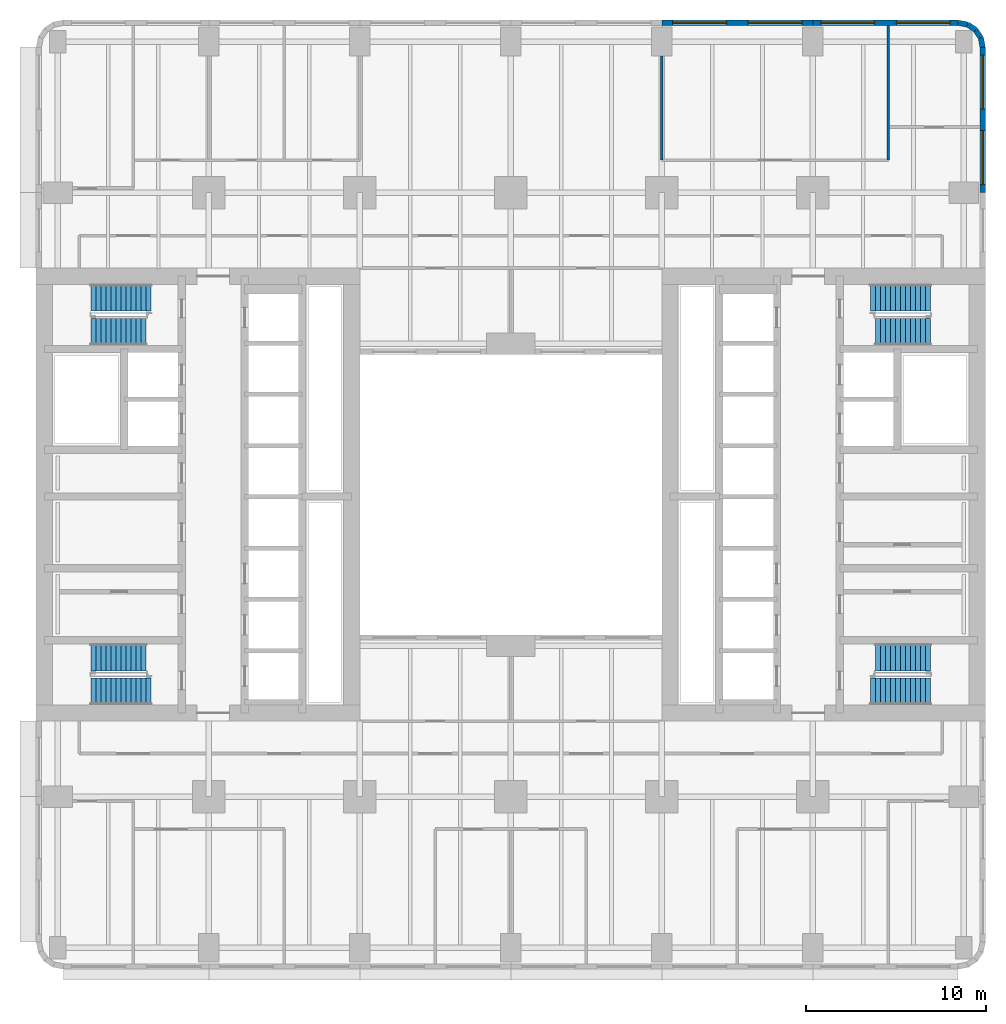
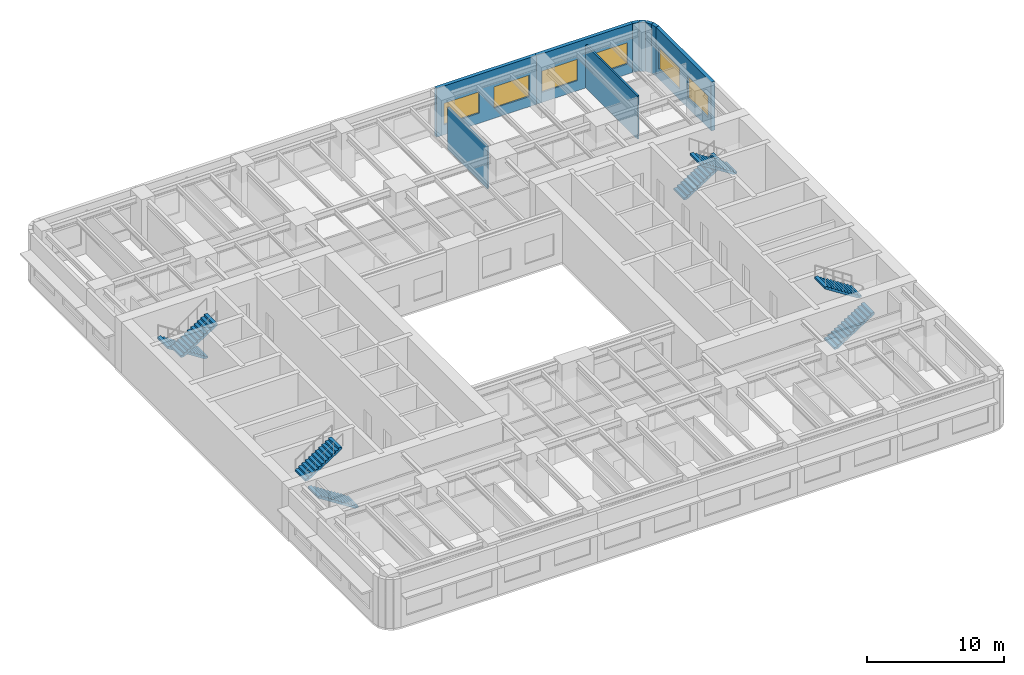
# One storey, part 8 of 14: 9 walls, 8 stair flights, 6 windows, 6 openings, 4 elements without a shape of their own.
"""IFC4 building model written with IfcOpenShell, lengths in metres."""

import ifcopenshell
import ifcopenshell.guid

model = None  # the IFC model being written
_history = None  # IfcOwnerHistory: only IFC2X3 demands one
_inside = {}  # id of a spatial element -> (the spatial element, [elements in it])
_under = {}  # id of a project, library or spatial element -> (it, [spatial elements below it])
_declared = {}  # id of a project -> (the project, [libraries it declares])
_typed = {}  # id of a type object -> (the type object, [elements of that type])
_made_of = {}  # id of a material, layer set ... -> (it, [elements and type objects made of it])


def new_model(schema):
    """Start an empty IFC model of exactly this schema.

    Asked for "IFC4X3", IfcOpenShell would pick the latest addendum, in which some entities
    have other attributes; the version numbers below select the first issue.
    IFC2X3 requires an IfcOwnerHistory on every rooted entity: one is made here for all.
    """
    global model, _history
    if schema == "IFC4X3":
        model = ifcopenshell.file(schema_version=(4, 3, 0, 0))
    else:
        model = ifcopenshell.file(schema=schema)
    _inside.clear()
    _under.clear()
    _declared.clear()
    _typed.clear()
    _made_of.clear()
    _history = None
    if model.schema == "IFC2X3":
        org = make("IfcOrganization", Name="unknown")
        user = make(
            "IfcPersonAndOrganization",
            ThePerson=make("IfcPerson", FamilyName="unknown"),
            TheOrganization=org,
        )
        app = make(
            "IfcApplication",
            ApplicationDeveloper=org,
            Version="unknown",
            ApplicationFullName="unknown",
            ApplicationIdentifier="unknown",
        )
        _history = make(
            "IfcOwnerHistory",
            OwningUser=user,
            OwningApplication=app,
            ChangeAction="ADDED",
            CreationDate=0,
        )
    return model


def make(cls, **values):
    """One entity of the class cls with the attributes given. An attribute that is None is left unset."""
    return model.create_entity(
        cls, **{name: value for name, value in values.items() if value is not None}
    )


def rooted(cls, **values):
    """An entity with a GlobalId (a new one), such as an element, a storey or a relation."""
    return make(cls, GlobalId=ifcopenshell.guid.new(), OwnerHistory=_history, **values)


def si_unit(unit_type, name, prefix=None):
    """IfcSIUnit, for example si_unit("LENGTHUNIT", "METRE", prefix="MILLI")."""
    return make("IfcSIUnit", UnitType=unit_type, Prefix=prefix, Name=name)


def assignment(units):
    """IfcUnitAssignment: the units of a project."""
    return None if units is None else make("IfcUnitAssignment", Units=units)


def point(xyz):
    """IfcCartesianPoint."""
    return None if xyz is None else make("IfcCartesianPoint", Coordinates=xyz)


def direction(xyz):
    """IfcDirection."""
    return None if xyz is None else make("IfcDirection", DirectionRatios=xyz)


def frame(location, z_axis=None, x_axis=None):
    """IfcAxis2Placement3D, a coordinate frame: its origin and axes. An axis left out is left unset."""
    return make(
        "IfcAxis2Placement3D",
        Location=point(location),
        Axis=direction(z_axis),
        RefDirection=direction(x_axis),
    )


def frame_2d(location, x_axis=None):
    """IfcAxis2Placement2D, a coordinate frame in the plane: its origin and x axis."""
    return make(
        "IfcAxis2Placement2D", Location=point(location), RefDirection=direction(x_axis)
    )


def origin():
    """The frame at (0, 0, 0) with its axes left unset."""
    return frame((0.0, 0.0, 0.0))


def place(relative_to, where):
    """IfcLocalPlacement: puts the frame where relative to a parent placement (None: the world)."""
    return make(
        "IfcLocalPlacement", PlacementRelTo=relative_to, RelativePlacement=where
    )


def context(
    kind, dimensions, precision=None, world=None, true_north=None, identifier=None
):
    """IfcGeometricRepresentationContext, for example the 3D "Model" context."""
    return make(
        "IfcGeometricRepresentationContext",
        ContextIdentifier=identifier,
        ContextType=kind,
        CoordinateSpaceDimension=dimensions,
        Precision=precision,
        WorldCoordinateSystem=world,
        TrueNorth=true_north,
    )


def subcontext(parent, identifier, kind, view, scale=None):
    """IfcGeometricRepresentationSubContext, for example "Body" below "Model"."""
    return make(
        "IfcGeometricRepresentationSubContext",
        ContextIdentifier=identifier,
        ContextType=kind,
        ParentContext=parent,
        TargetScale=scale,
        TargetView=view,
    )


def project(units=None, contexts=None):
    """IfcProject with its units and contexts."""
    return rooted(
        "IfcProject",
        Name="project",
        RepresentationContexts=contexts,
        UnitsInContext=assignment(units),
    )


def spatial(cls, under=None, at=None, **own):
    """A site, building, storey or space (cls), placed at a placement, below another one or the project."""
    s = rooted(cls, ObjectPlacement=at, **own)
    if under is not None:
        _under.setdefault(under.id(), (under, []))[1].append(s)
    return s


def polyline(points):
    """IfcPolyline through the points."""
    return make("IfcPolyline", Points=[point(p) for p in points])


def profile(cls, at=None, kind="AREA", **sizes):
    """A parametric profile (cls). Its sizes go by their IFC names, for example OverallWidth=200.0."""
    return make(cls, ProfileType=kind, Position=at, **sizes)


def rectangle(**sizes):
    """IfcRectangleProfileDef."""
    return profile("IfcRectangleProfileDef", **sizes)


def outline(outer, holes=None, kind="AREA"):
    """IfcArbitraryClosedProfileDef: a profile drawn as a closed curve; with holes, ...WithVoids."""
    if holes is None:
        return make("IfcArbitraryClosedProfileDef", ProfileType=kind, OuterCurve=outer)
    return make(
        "IfcArbitraryProfileDefWithVoids",
        ProfileType=kind,
        OuterCurve=outer,
        InnerCurves=holes,
    )


def extrude(swept, where, along, depth):
    """IfcExtrudedAreaSolid: the profile swept, set in the frame where, extruded along a direction by depth."""
    return make(
        "IfcExtrudedAreaSolid",
        SweptArea=swept,
        Position=where,
        ExtrudedDirection=direction(along),
        Depth=depth,
    )


def shape(context_of_items, identifier, shape_type, items):
    """IfcShapeRepresentation: the items that make up one representation, for example the "Body"."""
    return make(
        "IfcShapeRepresentation",
        ContextOfItems=context_of_items,
        RepresentationIdentifier=identifier,
        RepresentationType=shape_type,
        Items=items,
    )


def material(Name=None, Category=None):
    """IfcMaterial."""
    return make("IfcMaterial", Name=Name, Category=Category)


def layer(
    of_material, thickness, ventilated=None, Name=None, Category=None, Priority=None
):
    """IfcMaterialLayer: one layer of a wall or slab, of a material (None: an air gap)."""
    return make(
        "IfcMaterialLayer",
        Material=of_material,
        LayerThickness=thickness,
        IsVentilated=ventilated,
        Name=Name,
        Category=Category,
        Priority=Priority,
    )


def layer_set(layers, Name=None):
    """IfcMaterialLayerSet."""
    return make("IfcMaterialLayerSet", MaterialLayers=layers, LayerSetName=Name)


def made_of(thing, what):
    """Note that an element or type object is made of a material, layer set ...; save() writes the relation."""
    if what is not None:
        _made_of.setdefault(what.id(), (what, []))[1].append(thing)
    return thing


def type_object(cls, material=None, **own):
    """A type object (cls), such as IfcWallType, which elements share."""
    return made_of(rooted(cls, **own), material)


def element(
    cls,
    number,
    at=None,
    inside=None,
    cuts=None,
    type_object=None,
    material=None,
    context=None,
    identifier="Body",
    shape_type=None,
    held_by="IfcProductDefinitionShape",
    body=None,
    shapes=None,
    **own,
):
    """One element of the class cls, such as IfcWall. Its Tag is "e" and its number.

    at: its placement. inside: the storey or other place that contains it. cuts: it is an
    opening in that element (IfcRelVoidsElement). A single representation is given by context,
    identifier, shape_type and body (its items); several are given by shapes. held_by: the class
    of the entity that holds the representations. save() writes the other relations.
    """
    e = rooted(cls, Tag="e%d" % number, ObjectPlacement=at, **own)
    if body is not None:
        shapes = [shape(context, identifier, shape_type, body)]
    if shapes is not None:
        e.Representation = make(held_by, Representations=shapes)
    if inside is not None:
        _inside.setdefault(inside.id(), (inside, []))[1].append(e)
    if cuts is not None:
        rooted(
            "IfcRelVoidsElement", RelatingBuildingElement=cuts, RelatedOpeningElement=e
        )
    if type_object is not None:
        _typed.setdefault(type_object.id(), (type_object, []))[1].append(e)
    return made_of(e, material)


def fill(opening, filler):
    """IfcRelFillsElement: the door or window that sits in an opening."""
    return rooted(
        "IfcRelFillsElement",
        RelatingOpeningElement=opening,
        RelatedBuildingElement=filler,
    )


def aggregate(whole, parts):
    """IfcRelAggregates: a whole, such as a stair, and the parts it consists of."""
    return rooted("IfcRelAggregates", RelatingObject=whole, RelatedObjects=parts)


def save(model, path):
    """Write the relations noted so far, then the file.

    IfcRelAggregates (storeys below a building ...), IfcRelContainedInSpatialStructure (elements
    in a storey), IfcRelDefinesByType, IfcRelAssociatesMaterial and IfcRelDeclares: one each for
    every whole, place, type object, material and project.
    """
    for whole, parts in _under.values():
        aggregate(whole, parts)
    for where, things in _inside.values():
        rooted(
            "IfcRelContainedInSpatialStructure",
            RelatedElements=things,
            RelatingStructure=where,
        )
    for kind, things in _typed.values():
        rooted("IfcRelDefinesByType", RelatedObjects=things, RelatingType=kind)
    for what, things in _made_of.values():
        rooted("IfcRelAssociatesMaterial", RelatedObjects=things, RelatingMaterial=what)
    for by, libraries in _declared.values():
        rooted("IfcRelDeclares", RelatingContext=by, RelatedDefinitions=libraries)
    model.write(path)


model = new_model("IFC4")

# Units and contexts
model_context = context("Model", 3, precision=1e-05, world=origin(), true_north=direction((0.0, 1.0)))
body_context = subcontext(model_context, "Body", "Model", "MODEL_VIEW")
ifc_project = project(units=[si_unit("LENGTHUNIT", "METRE"), si_unit("AREAUNIT", "SQUARE_METRE"), si_unit("VOLUMEUNIT", "CUBIC_METRE"), si_unit("PLANEANGLEUNIT", "RADIAN"), si_unit("MASSUNIT", "GRAM", prefix="KILO")], contexts=[model_context])

# Site, building, storey
site_placement = place(None, origin())
site = spatial("IfcSite", under=ifc_project, at=site_placement, CompositionType="ELEMENT")
building_placement = place(site_placement, origin())
building = spatial("IfcBuilding", under=site, at=building_placement, Name="Claustro Exchange Tower", CompositionType="ELEMENT")
storey_placement = place(building_placement, frame((0.0, 0.0, 72.89990234375)))
storey = spatial("IfcBuildingStorey", under=building, at=storey_placement, Name="L16", CompositionType="ELEMENT", Elevation=72.89990234375)

# Walls
ifc_material_1 = material(Name="Gypsum board on steel studs", Category="steel")
ifc_layer_1 = layer(ifc_material_1, 0.14990234375)
ifc_layer_set_1 = layer_set([ifc_layer_1], Name="Gypsum board on steel studs")
wall_type_1 = type_object("IfcWallType", Name="P1 150 plasterboard partition", PredefinedType="PARTITIONING", material=ifc_layer_set_1)
wall_1_placement = place(storey_placement, frame((33.60009765625, 43.800048828125, 0.0), z_axis=(0.0, 0.0, 1.0), x_axis=(0.0, 1.0, 0.0)))
element("IfcWall", 1, at=wall_1_placement, inside=storey, type_object=wall_type_1, Name="Partition P1 L16", PredefinedType="PARTITIONING", context=body_context, shape_type="SweptSolid", body=[
    extrude(rectangle(XDim=5.801025390625, YDim=0.14990234375, at=frame_2d((2.900390625, 0.0))), origin(), (0.0, 0.0, 1.0), 3.739990234375),
])
wall_2_placement = place(storey_placement, frame((46.199951171875, 43.800048828125, 0.0), z_axis=(0.0, 0.0, 1.0), x_axis=(0.0, 1.0, 0.0)))
element("IfcWall", 2, at=wall_2_placement, inside=storey, type_object=wall_type_1, Name="Partition P1 L16", PredefinedType="PARTITIONING", context=body_context, shape_type="SweptSolid", body=[
    extrude(rectangle(XDim=7.501953125, YDim=0.14990234375, at=frame_2d((3.7509765625, 0.0))), origin(), (0.0, 0.0, 1.0), 3.840087890625),
])

# Wall, openings, windows
ifc_material_2 = material(Name="Concrete HA-40 (C40/50), precast, white cement, acid-etched", Category="concrete")
ifc_layer_2 = layer(ifc_material_2, 0.300048828125)
ifc_layer_set_2 = layer_set([ifc_layer_2], Name="Concrete HA-40 (C40/50), precast, white cement, acid-etched")
wall_type_2 = type_object("IfcWallType", Name="PC1 300 precast concrete pier panel", PredefinedType="SOLIDWALL", material=ifc_layer_set_2)
wall_3_placement = place(storey_placement, frame((33.60009765625, 51.449951171875, 0.0), z_axis=(0.0, 0.0, 1.0), x_axis=(1.0, 0.0, 0.0)))
wall_3 = element("IfcWall", 3, at=wall_3_placement, inside=storey, type_object=wall_type_2, Name="Precast pier panel PC1 L16", PredefinedType="SOLIDWALL", context=body_context, shape_type="SweptSolid", body=[
    extrude(rectangle(XDim=8.39990234375, YDim=0.300048828125, at=frame_2d((4.199951171875, 0.0))), origin(), (0.0, 0.0, 1.0), 4.340087890625),
])
opening_1_placement = place(wall_3_placement, frame((0.60009765625, 0.0, 0.89990234375)))
opening_1 = element("IfcOpeningElement", 4, at=opening_1_placement, cuts=wall_3, Name="Opening W1", PredefinedType="OPENING", context=body_context, shape_type="SweptSolid", body=[
    extrude(rectangle(XDim=3.0, YDim=1.89990234375, at=frame_2d((1.5, 0.949951171875))), frame((0.0, 0.159912109375, 0.0), z_axis=(0.0, -1.0, 0.0), x_axis=(1.0, 0.0, 0.0)), (0.0, 0.0, 1.0), 0.320068359375),
])
opening_2_placement = place(wall_3_placement, frame((4.800048828125, 0.0, 0.89990234375)))
opening_2 = element("IfcOpeningElement", 5, at=opening_2_placement, cuts=wall_3, Name="Opening W1", PredefinedType="OPENING", context=body_context, shape_type="SweptSolid", body=[
    extrude(rectangle(XDim=3.0, YDim=1.89990234375, at=frame_2d((1.5, 0.949951171875))), frame((0.0, 0.159912109375, 0.0), z_axis=(0.0, -1.0, 0.0), x_axis=(1.0, 0.0, 0.0)), (0.0, 0.0, 1.0), 0.320068359375),
])
ifc_material_3 = material(Name="Aluminium frame, clear double glazing", Category="aluminium")
window_type = type_object("IfcWindowType", Name="W1 3000 x 1900 window", PartitioningType="SINGLE_PANEL", PredefinedType="WINDOW", material=ifc_material_3)
window_1_placement = place(opening_1_placement, origin())
window_1 = element("IfcWindow", 6, at=window_1_placement, inside=storey, type_object=window_type, Name="Window W1 L16", OverallHeight=1.89990234375, OverallWidth=3.0, PartitioningType="SINGLE_PANEL", PredefinedType="WINDOW", context=body_context, shape_type="SweptSolid", body=[
    extrude(rectangle(XDim=3.0, YDim=1.89990234375, at=frame_2d((1.5, 0.949951171875))), frame((0.0, 0.030029296875, 0.0), z_axis=(0.0, -1.0, 0.0), x_axis=(1.0, 0.0, 0.0)), (0.0, 0.0, 1.0), 0.06005859375),
])
fill(opening_1, window_1)
window_2_placement = place(opening_2_placement, origin())
window_2 = element("IfcWindow", 7, at=window_2_placement, inside=storey, type_object=window_type, Name="Window W1 L16", OverallHeight=1.89990234375, OverallWidth=3.0, PartitioningType="SINGLE_PANEL", PredefinedType="WINDOW", context=body_context, shape_type="SweptSolid", body=[
    extrude(rectangle(XDim=3.0, YDim=1.89990234375, at=frame_2d((1.5, 0.949951171875))), frame((0.0, 0.030029296875, 0.0), z_axis=(0.0, -1.0, 0.0), x_axis=(1.0, 0.0, 0.0)), (0.0, 0.0, 1.0), 0.06005859375),
])
fill(opening_2, window_2)

wall_4_placement = place(storey_placement, frame((42.0, 51.449951171875, 0.0), z_axis=(0.0, 0.0, 1.0), x_axis=(1.0, 0.0, 0.0)))
wall_4 = element("IfcWall", 8, at=wall_4_placement, inside=storey, type_object=wall_type_2, Name="Precast pier panel PC1 L16", PredefinedType="SOLIDWALL", context=body_context, shape_type="SweptSolid", body=[
    extrude(rectangle(XDim=8.085205078125, YDim=0.300048828125, at=frame_2d((4.04248046875, 0.0))), origin(), (0.0, 0.0, 1.0), 4.340087890625),
])
opening_3_placement = place(wall_4_placement, frame((0.442626953125, 0.0, 0.89990234375)))
opening_3 = element("IfcOpeningElement", 9, at=opening_3_placement, cuts=wall_4, Name="Opening W1", PredefinedType="OPENING", context=body_context, shape_type="SweptSolid", body=[
    extrude(rectangle(XDim=3.0, YDim=1.89990234375, at=frame_2d((1.5, 0.949951171875))), frame((0.0, 0.159912109375, 0.0), z_axis=(0.0, -1.0, 0.0), x_axis=(1.0, 0.0, 0.0)), (0.0, 0.0, 1.0), 0.320068359375),
])
opening_4_placement = place(wall_4_placement, frame((4.642578125, 0.0, 0.89990234375)))
opening_4 = element("IfcOpeningElement", 10, at=opening_4_placement, cuts=wall_4, Name="Opening W1", PredefinedType="OPENING", context=body_context, shape_type="SweptSolid", body=[
    extrude(rectangle(XDim=3.0, YDim=1.89990234375, at=frame_2d((1.5, 0.949951171875))), frame((0.0, 0.159912109375, 0.0), z_axis=(0.0, -1.0, 0.0), x_axis=(1.0, 0.0, 0.0)), (0.0, 0.0, 1.0), 0.320068359375),
])
window_3_placement = place(opening_3_placement, origin())
window_3 = element("IfcWindow", 11, at=window_3_placement, inside=storey, type_object=window_type, Name="Window W1 L16", OverallHeight=1.89990234375, OverallWidth=3.0, PartitioningType="SINGLE_PANEL", PredefinedType="WINDOW", context=body_context, shape_type="SweptSolid", body=[
    extrude(rectangle(XDim=3.0, YDim=1.89990234375, at=frame_2d((1.5, 0.949951171875))), frame((0.0, 0.030029296875, 0.0), z_axis=(0.0, -1.0, 0.0), x_axis=(1.0, 0.0, 0.0)), (0.0, 0.0, 1.0), 0.06005859375),
])
fill(opening_3, window_3)
window_4_placement = place(opening_4_placement, origin())
window_4 = element("IfcWindow", 12, at=window_4_placement, inside=storey, type_object=window_type, Name="Window W1 L16", OverallHeight=1.89990234375, OverallWidth=3.0, PartitioningType="SINGLE_PANEL", PredefinedType="WINDOW", context=body_context, shape_type="SweptSolid", body=[
    extrude(rectangle(XDim=3.0, YDim=1.89990234375, at=frame_2d((1.5, 0.949951171875))), frame((0.0, 0.030029296875, 0.0), z_axis=(0.0, -1.0, 0.0), x_axis=(1.0, 0.0, 0.0)), (0.0, 0.0, 1.0), 0.06005859375),
])
fill(opening_4, window_4)

# Walls
wall_5_placement = place(storey_placement, frame((50.085205078125, 51.449951171875, 0.0), z_axis=(0.0, 0.0, 1.0), x_axis=(0.980788534345, -0.195073962632, 0.0)))
element("IfcWall", 13, at=wall_5_placement, inside=storey, type_object=wall_type_2, Name="Precast pier panel PC1 L16", PredefinedType="SOLIDWALL", context=body_context, shape_type="SweptSolid", body=[
    extrude(rectangle(XDim=0.540771484375, YDim=0.300048828125, at=frame_2d((0.2705078125, 0.0))), origin(), (0.0, 0.0, 1.0), 4.340087890625),
])
for number, where, z_axis, x_axis, name in (
    (14, (50.615478515625, 51.344482421875, 0.0), (0.0, 0.0, 1.0), (0.831478144188, -0.555557463938, 0.0), "Precast pier panel PC1 L16"),
    (15, (51.052490234375, 51.052490234375, 0.0), (0.0, 0.0, 1.0), (0.555557463938, -0.831478144188, 0.0), "Precast pier panel PC1 L16"),
):
    element("IfcWall", number, at=place(storey_placement, frame(where, z_axis=z_axis, x_axis=x_axis)), inside=storey, type_object=wall_type_2, Name=name, PredefinedType="SOLIDWALL", context=body_context, shape_type="SweptSolid", body=[
        extrude(rectangle(XDim=0.525634765625, YDim=0.300048828125, at=frame_2d((0.2626953125, 0.0))), origin(), (0.0, 0.0, 1.0), 4.340087890625),
    ])
wall_6_placement = place(storey_placement, frame((51.344482421875, 50.615478515625, 0.0), z_axis=(0.0, 0.0, 1.0), x_axis=(0.195073962632, -0.980788534345, 0.0)))
element("IfcWall", 16, at=wall_6_placement, inside=storey, type_object=wall_type_2, Name="Precast pier panel PC1 L16", PredefinedType="SOLIDWALL", context=body_context, shape_type="SweptSolid", body=[
    extrude(rectangle(XDim=0.540771484375, YDim=0.300048828125, at=frame_2d((0.2705078125, 0.0))), origin(), (0.0, 0.0, 1.0), 4.340087890625),
])

# Wall, openings, windows
wall_7_placement = place(storey_placement, frame((51.449951171875, 50.085205078125, 0.0), z_axis=(0.0, 0.0, 1.0), x_axis=(0.0, -1.0, 0.0)))
wall_7 = element("IfcWall", 17, at=wall_7_placement, inside=storey, type_object=wall_type_2, Name="Precast pier panel PC1 L16", PredefinedType="SOLIDWALL", context=body_context, shape_type="SweptSolid", body=[
    extrude(rectangle(XDim=8.085205078125, YDim=0.300048828125, at=frame_2d((4.04248046875, 0.0))), origin(), (0.0, 0.0, 1.0), 4.340087890625),
])
opening_5_placement = place(wall_7_placement, frame((0.442626953125, 0.0, 0.89990234375)))
opening_5 = element("IfcOpeningElement", 18, at=opening_5_placement, cuts=wall_7, Name="Opening W1", PredefinedType="OPENING", context=body_context, shape_type="SweptSolid", body=[
    extrude(rectangle(XDim=3.0, YDim=1.89990234375, at=frame_2d((1.5, 0.949951171875))), frame((0.0, 0.159912109375, 0.0), z_axis=(0.0, -1.0, 0.0), x_axis=(1.0, 0.0, 0.0)), (0.0, 0.0, 1.0), 0.320068359375),
])
opening_6_placement = place(wall_7_placement, frame((4.642578125, 0.0, 0.89990234375)))
opening_6 = element("IfcOpeningElement", 19, at=opening_6_placement, cuts=wall_7, Name="Opening W1", PredefinedType="OPENING", context=body_context, shape_type="SweptSolid", body=[
    extrude(rectangle(XDim=3.0, YDim=1.89990234375, at=frame_2d((1.5, 0.949951171875))), frame((0.0, 0.159912109375, 0.0), z_axis=(0.0, -1.0, 0.0), x_axis=(1.0, 0.0, 0.0)), (0.0, 0.0, 1.0), 0.320068359375),
])
window_5_placement = place(opening_5_placement, origin())
window_5 = element("IfcWindow", 20, at=window_5_placement, inside=storey, type_object=window_type, Name="Window W1 L16", OverallHeight=1.89990234375, OverallWidth=3.0, PartitioningType="SINGLE_PANEL", PredefinedType="WINDOW", context=body_context, shape_type="SweptSolid", body=[
    extrude(rectangle(XDim=3.0, YDim=1.89990234375, at=frame_2d((1.5, 0.949951171875))), frame((0.0, 0.030029296875, 0.0), z_axis=(0.0, -1.0, 0.0), x_axis=(1.0, 0.0, 0.0)), (0.0, 0.0, 1.0), 0.06005859375),
])
fill(opening_5, window_5)
window_6_placement = place(opening_6_placement, origin())
window_6 = element("IfcWindow", 21, at=window_6_placement, inside=storey, type_object=window_type, Name="Window W1 L16", OverallHeight=1.89990234375, OverallWidth=3.0, PartitioningType="SINGLE_PANEL", PredefinedType="WINDOW", context=body_context, shape_type="SweptSolid", body=[
    extrude(rectangle(XDim=3.0, YDim=1.89990234375, at=frame_2d((1.5, 0.949951171875))), frame((0.0, 0.030029296875, 0.0), z_axis=(0.0, -1.0, 0.0), x_axis=(1.0, 0.0, 0.0)), (0.0, 0.0, 1.0), 0.06005859375),
])
fill(opening_6, window_6)

# Stair, stair flight
ifc_material_4 = material(Name="Concrete HA-30 (C30/37), precast", Category="concrete")
stair_type = type_object("IfcStairType", Name="ST2 half-turn stair, 25 risers of 180", PredefinedType="HALF_TURN_STAIR", material=ifc_material_4)
stair_1_placement = place(storey_placement, origin())
stair_1 = element("IfcStair", 22, at=stair_1_placement, inside=storey, type_object=stair_type, Name="Stair STWA L16", PredefinedType="HALF_TURN_STAIR")
ifc_material_5 = material(Name="Concrete HA-30 (C30/37), precast", Category="concrete")
stair_flight_type_1 = type_object("IfcStairFlightType", Name="SF12B straight flight, 12 risers of 180, 1500 wide", PredefinedType="STRAIGHT", material=ifc_material_5)
stair_flight_1_placement = place(storey_placement, frame((1.840087890625, 16.14990234375, 2.340087890625), z_axis=(0.0, 0.0, 1.0), x_axis=(1.0, 0.0, 0.0)))
stair_flight_1 = element("IfcStairFlight", 23, at=stair_flight_1_placement, type_object=stair_flight_type_1, Name="STWA flight 2", NumberOfRisers=12, NumberOfTreads=11, PredefinedType="STRAIGHT", RiserHeight=0.18, TreadLength=0.28, context=body_context, shape_type="SweptSolid", body=[
    extrude(outline(polyline([(0.0, 0.0), (0.0, 0.179931640625), (0.280029296875, 0.179931640625), (0.280029296875, 0.360107421875), (0.56005859375, 0.360107421875), (0.56005859375, 0.5400390625), (0.840087890625, 0.5400390625), (0.840087890625, 0.719970703125), (1.1201171875, 0.719970703125), (1.1201171875, 0.89990234375), (1.39990234375, 0.89990234375), (1.39990234375, 1.080078125), (1.679931640625, 1.080078125), (1.679931640625, 1.260009765625), (1.9599609375, 1.260009765625), (1.9599609375, 1.43994140625), (2.239990234375, 1.43994140625), (2.239990234375, 1.6201171875), (2.52001953125, 1.6201171875), (2.52001953125, 1.800048828125), (2.800048828125, 1.800048828125), (2.800048828125, 1.97998046875), (3.080078125, 1.97998046875), (3.080078125, 2.159912109375), (3.080078125, 1.8017578125), (0.277099609375, 0.0), (0.0, 0.0)])), frame((0.0, 0.75, 0.0), z_axis=(0.0, -1.0, 0.0), x_axis=(1.0, 0.0, 0.0)), (0.0, 0.0, 1.0), 1.5),
])

stair_2_placement = place(storey_placement, origin())
stair_2 = element("IfcStair", 24, at=stair_2_placement, inside=storey, type_object=stair_type, Name="Stair STWB L16", PredefinedType="HALF_TURN_STAIR")
stair_flight_2_placement = place(storey_placement, frame((1.840087890625, 34.25, 2.340087890625), z_axis=(0.0, 0.0, 1.0), x_axis=(1.0, 0.0, 0.0)))
stair_flight_2 = element("IfcStairFlight", 25, at=stair_flight_2_placement, type_object=stair_flight_type_1, Name="STWB flight 2", NumberOfRisers=12, NumberOfTreads=11, PredefinedType="STRAIGHT", RiserHeight=0.18, TreadLength=0.28, context=body_context, shape_type="SweptSolid", body=[
    extrude(outline(polyline([(0.0, 0.0), (0.0, 0.179931640625), (0.280029296875, 0.179931640625), (0.280029296875, 0.360107421875), (0.56005859375, 0.360107421875), (0.56005859375, 0.5400390625), (0.840087890625, 0.5400390625), (0.840087890625, 0.719970703125), (1.1201171875, 0.719970703125), (1.1201171875, 0.89990234375), (1.39990234375, 0.89990234375), (1.39990234375, 1.080078125), (1.679931640625, 1.080078125), (1.679931640625, 1.260009765625), (1.9599609375, 1.260009765625), (1.9599609375, 1.43994140625), (2.239990234375, 1.43994140625), (2.239990234375, 1.6201171875), (2.52001953125, 1.6201171875), (2.52001953125, 1.800048828125), (2.800048828125, 1.800048828125), (2.800048828125, 1.97998046875), (3.080078125, 1.97998046875), (3.080078125, 2.159912109375), (3.080078125, 1.8017578125), (0.277099609375, 0.0), (0.0, 0.0)])), frame((0.0, 0.75, 0.0), z_axis=(0.0, -1.0, 0.0), x_axis=(1.0, 0.0, 0.0)), (0.0, 0.0, 1.0), 1.5),
])

stair_3_placement = place(storey_placement, origin())
stair_3 = element("IfcStair", 26, at=stair_3_placement, inside=storey, type_object=stair_type, Name="Stair STEA L16", PredefinedType="HALF_TURN_STAIR")
stair_flight_3_placement = place(storey_placement, frame((48.56005859375, 16.14990234375, 2.340087890625), z_axis=(0.0, 0.0, 1.0), x_axis=(-1.0, 0.0, 0.0)))
stair_flight_3 = element("IfcStairFlight", 27, at=stair_flight_3_placement, type_object=stair_flight_type_1, Name="STEA flight 2", NumberOfRisers=12, NumberOfTreads=11, PredefinedType="STRAIGHT", RiserHeight=0.18, TreadLength=0.28, context=body_context, shape_type="SweptSolid", body=[
    extrude(outline(polyline([(0.0, 0.0), (0.0, 0.179931640625), (0.280029296875, 0.179931640625), (0.280029296875, 0.360107421875), (0.56005859375, 0.360107421875), (0.56005859375, 0.5400390625), (0.840087890625, 0.5400390625), (0.840087890625, 0.719970703125), (1.1201171875, 0.719970703125), (1.1201171875, 0.89990234375), (1.39990234375, 0.89990234375), (1.39990234375, 1.080078125), (1.679931640625, 1.080078125), (1.679931640625, 1.260009765625), (1.9599609375, 1.260009765625), (1.9599609375, 1.43994140625), (2.239990234375, 1.43994140625), (2.239990234375, 1.6201171875), (2.52001953125, 1.6201171875), (2.52001953125, 1.800048828125), (2.800048828125, 1.800048828125), (2.800048828125, 1.97998046875), (3.080078125, 1.97998046875), (3.080078125, 2.159912109375), (3.080078125, 1.8017578125), (0.277099609375, 0.0), (0.0, 0.0)])), frame((0.0, 0.75, 0.0), z_axis=(0.0, -1.0, 0.0), x_axis=(1.0, 0.0, 0.0)), (0.0, 0.0, 1.0), 1.5),
])

stair_4_placement = place(storey_placement, origin())
stair_4 = element("IfcStair", 28, at=stair_4_placement, inside=storey, type_object=stair_type, Name="Stair STEB L16", PredefinedType="HALF_TURN_STAIR")
stair_flight_4_placement = place(storey_placement, frame((48.56005859375, 34.25, 2.340087890625), z_axis=(0.0, 0.0, 1.0), x_axis=(-1.0, 0.0, 0.0)))
stair_flight_4 = element("IfcStairFlight", 29, at=stair_flight_4_placement, type_object=stair_flight_type_1, Name="STEB flight 2", NumberOfRisers=12, NumberOfTreads=11, PredefinedType="STRAIGHT", RiserHeight=0.18, TreadLength=0.28, context=body_context, shape_type="SweptSolid", body=[
    extrude(outline(polyline([(0.0, 0.0), (0.0, 0.179931640625), (0.280029296875, 0.179931640625), (0.280029296875, 0.360107421875), (0.56005859375, 0.360107421875), (0.56005859375, 0.5400390625), (0.840087890625, 0.5400390625), (0.840087890625, 0.719970703125), (1.1201171875, 0.719970703125), (1.1201171875, 0.89990234375), (1.39990234375, 0.89990234375), (1.39990234375, 1.080078125), (1.679931640625, 1.080078125), (1.679931640625, 1.260009765625), (1.9599609375, 1.260009765625), (1.9599609375, 1.43994140625), (2.239990234375, 1.43994140625), (2.239990234375, 1.6201171875), (2.52001953125, 1.6201171875), (2.52001953125, 1.800048828125), (2.800048828125, 1.800048828125), (2.800048828125, 1.97998046875), (3.080078125, 1.97998046875), (3.080078125, 2.159912109375), (3.080078125, 1.8017578125), (0.277099609375, 0.0), (0.0, 0.0)])), frame((0.0, 0.75, 0.0), z_axis=(0.0, -1.0, 0.0), x_axis=(1.0, 0.0, 0.0)), (0.0, 0.0, 1.0), 1.5),
])

# Stair flight
ifc_material_6 = material(Name="Concrete HA-30 (C30/37), precast", Category="concrete")
stair_flight_type_2 = type_object("IfcStairFlightType", Name="SF13 straight flight, 13 risers of 180, 1500 wide", PredefinedType="STRAIGHT", material=ifc_material_6)
stair_flight_5_placement = place(storey_placement, frame((5.199951171875, 14.25, 0.0), z_axis=(0.0, 0.0, 1.0), x_axis=(-1.0, 0.0, 0.0)))
stair_flight_5 = element("IfcStairFlight", 30, at=stair_flight_5_placement, type_object=stair_flight_type_2, Name="STWA flight 1", NumberOfRisers=13, NumberOfTreads=12, PredefinedType="STRAIGHT", RiserHeight=0.18, TreadLength=0.28, context=body_context, shape_type="SweptSolid", body=[
    extrude(outline(polyline([(0.0, 0.0), (0.0, 0.179931640625), (0.280029296875, 0.179931640625), (0.280029296875, 0.360107421875), (0.56005859375, 0.360107421875), (0.56005859375, 0.5400390625), (0.840087890625, 0.5400390625), (0.840087890625, 0.719970703125), (1.1201171875, 0.719970703125), (1.1201171875, 0.89990234375), (1.39990234375, 0.89990234375), (1.39990234375, 1.080078125), (1.679931640625, 1.080078125), (1.679931640625, 1.260009765625), (1.9599609375, 1.260009765625), (1.9599609375, 1.43994140625), (2.239990234375, 1.43994140625), (2.239990234375, 1.6201171875), (2.52001953125, 1.6201171875), (2.52001953125, 1.800048828125), (2.800048828125, 1.800048828125), (2.800048828125, 1.97998046875), (3.080078125, 1.97998046875), (3.080078125, 2.159912109375), (3.360107421875, 2.159912109375), (3.360107421875, 2.340087890625), (3.360107421875, 1.981689453125), (0.277099609375, 0.0), (0.0, 0.0)])), frame((0.0, 0.75, 0.0), z_axis=(0.0, -1.0, 0.0), x_axis=(1.0, 0.0, 0.0)), (0.0, 0.0, 1.0), 1.5),
])

aggregate(stair_1, [stair_flight_5, stair_flight_1])

stair_flight_6_placement = place(storey_placement, frame((5.199951171875, 36.14990234375, 0.0), z_axis=(0.0, 0.0, 1.0), x_axis=(-1.0, 0.0, 0.0)))
stair_flight_6 = element("IfcStairFlight", 31, at=stair_flight_6_placement, type_object=stair_flight_type_2, Name="STWB flight 1", NumberOfRisers=13, NumberOfTreads=12, PredefinedType="STRAIGHT", RiserHeight=0.18, TreadLength=0.28, context=body_context, shape_type="SweptSolid", body=[
    extrude(outline(polyline([(0.0, 0.0), (0.0, 0.179931640625), (0.280029296875, 0.179931640625), (0.280029296875, 0.360107421875), (0.56005859375, 0.360107421875), (0.56005859375, 0.5400390625), (0.840087890625, 0.5400390625), (0.840087890625, 0.719970703125), (1.1201171875, 0.719970703125), (1.1201171875, 0.89990234375), (1.39990234375, 0.89990234375), (1.39990234375, 1.080078125), (1.679931640625, 1.080078125), (1.679931640625, 1.260009765625), (1.9599609375, 1.260009765625), (1.9599609375, 1.43994140625), (2.239990234375, 1.43994140625), (2.239990234375, 1.6201171875), (2.52001953125, 1.6201171875), (2.52001953125, 1.800048828125), (2.800048828125, 1.800048828125), (2.800048828125, 1.97998046875), (3.080078125, 1.97998046875), (3.080078125, 2.159912109375), (3.360107421875, 2.159912109375), (3.360107421875, 2.340087890625), (3.360107421875, 1.981689453125), (0.277099609375, 0.0), (0.0, 0.0)])), frame((0.0, 0.75, 0.0), z_axis=(0.0, -1.0, 0.0), x_axis=(1.0, 0.0, 0.0)), (0.0, 0.0, 1.0), 1.5),
])

aggregate(stair_2, [stair_flight_6, stair_flight_2])

stair_flight_7_placement = place(storey_placement, frame((45.199951171875, 14.25, 0.0), z_axis=(0.0, 0.0, 1.0), x_axis=(1.0, 0.0, 0.0)))
stair_flight_7 = element("IfcStairFlight", 32, at=stair_flight_7_placement, type_object=stair_flight_type_2, Name="STEA flight 1", NumberOfRisers=13, NumberOfTreads=12, PredefinedType="STRAIGHT", RiserHeight=0.18, TreadLength=0.28, context=body_context, shape_type="SweptSolid", body=[
    extrude(outline(polyline([(0.0, 0.0), (0.0, 0.179931640625), (0.280029296875, 0.179931640625), (0.280029296875, 0.360107421875), (0.56005859375, 0.360107421875), (0.56005859375, 0.5400390625), (0.840087890625, 0.5400390625), (0.840087890625, 0.719970703125), (1.1201171875, 0.719970703125), (1.1201171875, 0.89990234375), (1.39990234375, 0.89990234375), (1.39990234375, 1.080078125), (1.679931640625, 1.080078125), (1.679931640625, 1.260009765625), (1.9599609375, 1.260009765625), (1.9599609375, 1.43994140625), (2.239990234375, 1.43994140625), (2.239990234375, 1.6201171875), (2.52001953125, 1.6201171875), (2.52001953125, 1.800048828125), (2.800048828125, 1.800048828125), (2.800048828125, 1.97998046875), (3.080078125, 1.97998046875), (3.080078125, 2.159912109375), (3.360107421875, 2.159912109375), (3.360107421875, 2.340087890625), (3.360107421875, 1.981689453125), (0.277099609375, 0.0), (0.0, 0.0)])), frame((0.0, 0.75, 0.0), z_axis=(0.0, -1.0, 0.0), x_axis=(1.0, 0.0, 0.0)), (0.0, 0.0, 1.0), 1.5),
])

aggregate(stair_3, [stair_flight_7, stair_flight_3])

stair_flight_8_placement = place(storey_placement, frame((45.199951171875, 36.14990234375, 0.0), z_axis=(0.0, 0.0, 1.0), x_axis=(1.0, 0.0, 0.0)))
stair_flight_8 = element("IfcStairFlight", 33, at=stair_flight_8_placement, type_object=stair_flight_type_2, Name="STEB flight 1", NumberOfRisers=13, NumberOfTreads=12, PredefinedType="STRAIGHT", RiserHeight=0.18, TreadLength=0.28, context=body_context, shape_type="SweptSolid", body=[
    extrude(outline(polyline([(0.0, 0.0), (0.0, 0.179931640625), (0.280029296875, 0.179931640625), (0.280029296875, 0.360107421875), (0.56005859375, 0.360107421875), (0.56005859375, 0.5400390625), (0.840087890625, 0.5400390625), (0.840087890625, 0.719970703125), (1.1201171875, 0.719970703125), (1.1201171875, 0.89990234375), (1.39990234375, 0.89990234375), (1.39990234375, 1.080078125), (1.679931640625, 1.080078125), (1.679931640625, 1.260009765625), (1.9599609375, 1.260009765625), (1.9599609375, 1.43994140625), (2.239990234375, 1.43994140625), (2.239990234375, 1.6201171875), (2.52001953125, 1.6201171875), (2.52001953125, 1.800048828125), (2.800048828125, 1.800048828125), (2.800048828125, 1.97998046875), (3.080078125, 1.97998046875), (3.080078125, 2.159912109375), (3.360107421875, 2.159912109375), (3.360107421875, 2.340087890625), (3.360107421875, 1.981689453125), (0.277099609375, 0.0), (0.0, 0.0)])), frame((0.0, 0.75, 0.0), z_axis=(0.0, -1.0, 0.0), x_axis=(1.0, 0.0, 0.0)), (0.0, 0.0, 1.0), 1.5),
])

aggregate(stair_4, [stair_flight_8, stair_flight_4])

save(model, "model.ifc")
